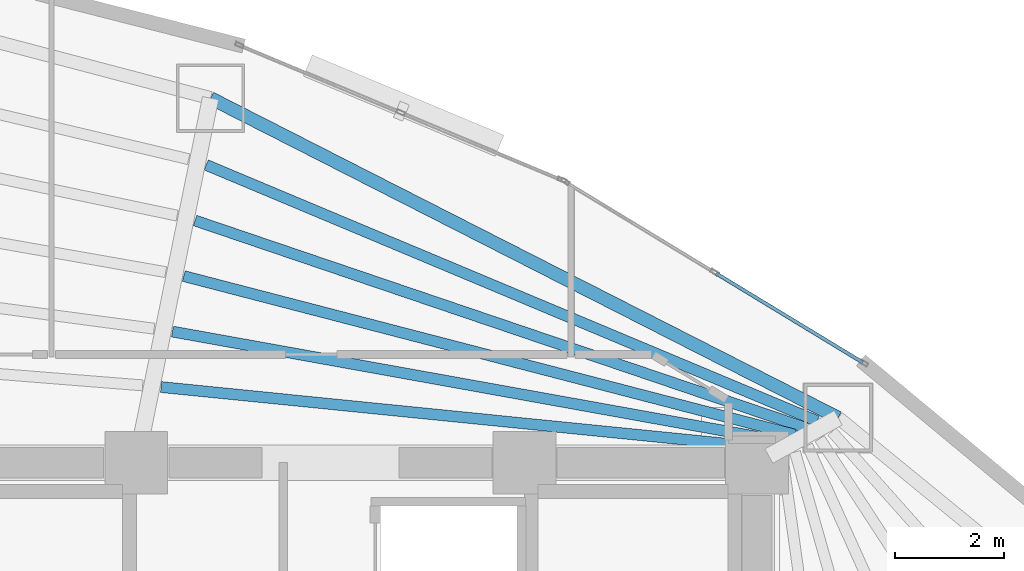
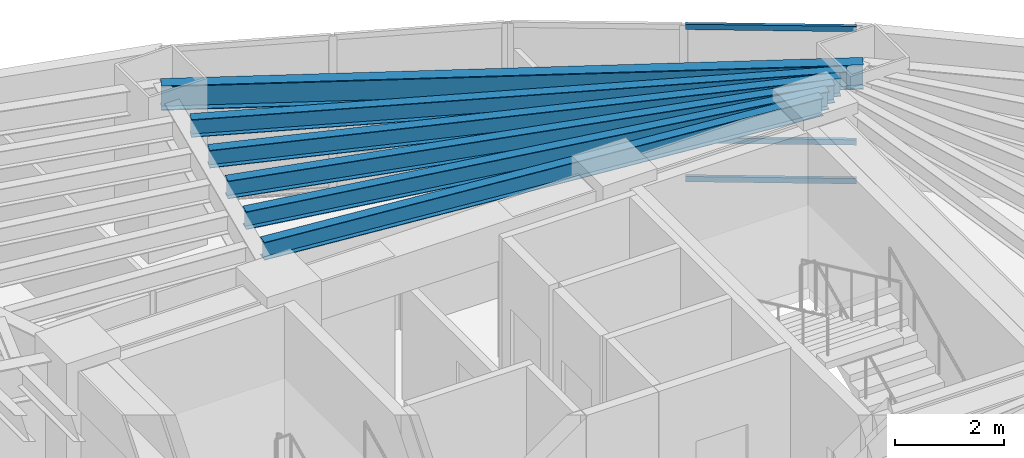
# One storey, part 10 of 18: 6 beams, 3 members, 1 element without a shape of its own.
"""IFC4 building model written with IfcOpenShell, lengths in metres."""

from ifc_helpers import new_model, si_unit, direction, frame, origin, origin_2d, place, context, subcontext, project, spatial, hollow_rectangle, i_section, extrude, material, layer, layer_set, material_profile, profile_set, type_object, element, aggregate, save


model = new_model("IFC4")

# Units and contexts
model_context = context("Model", 3, precision=1e-05, world=origin(), true_north=direction((0.0, 1.0)))
body_context = subcontext(model_context, "Body", "Model", "MODEL_VIEW")
ifc_project = project(units=[si_unit("LENGTHUNIT", "METRE"), si_unit("AREAUNIT", "SQUARE_METRE"), si_unit("VOLUMEUNIT", "CUBIC_METRE"), si_unit("PLANEANGLEUNIT", "RADIAN"), si_unit("MASSUNIT", "GRAM", prefix="KILO")], contexts=[model_context])

# Site, building, storey
site_placement = place(None, origin())
site = spatial("IfcSite", under=ifc_project, at=site_placement, CompositionType="ELEMENT")
building_placement = place(site_placement, origin())
building = spatial("IfcBuilding", under=site, at=building_placement, Name="Menara Vayukalpa", CompositionType="ELEMENT")
storey_placement = place(building_placement, frame((0.0, 0.0, 126.300048828125)))
storey = spatial("IfcBuildingStorey", under=building, at=storey_placement, Name="L31", CompositionType="ELEMENT", Elevation=126.300048828125)

# Beams
ifc_material_1 = material(Name="Steel S355", Category="steel")
ifc_material_profile_1 = material_profile(ifc_material_1, i_section(OverallWidth=0.199951171875, OverallDepth=0.39990234375, WebThickness=0.008056640625, FlangeThickness=0.012939453125, at=origin_2d()), Name="WF 400x200x8x13")
ifc_profile_set_1 = profile_set([ifc_material_profile_1], Name="Steel S355")
beam_type_1 = type_object("IfcBeamType", Name="BM-SJ2", PredefinedType="JOIST", material=ifc_profile_set_1)
beam_1_placement = place(storey_placement, frame((33.677978515625, 27.06396484375, 3.27001953125), z_axis=(-0.995012836574, 0.099746955103, 0.0), x_axis=(-0.099746955103, -0.995012836574, 0.0)))
element("IfcBeam", 1, at=beam_1_placement, inside=storey, type_object=beam_type_1, Name="L31 Secondary Floor Joist SJ02-1", PredefinedType="JOIST", context=body_context, shape_type="SweptSolid", body=[
    extrude(i_section(OverallWidth=0.199951171875, OverallDepth=0.39990234375, WebThickness=0.008056640625, FlangeThickness=0.012939453125, at=origin_2d()), origin(), (0.0, 0.0, 1.0), 11.2294921875),
])
beam_2_placement = place(storey_placement, frame((33.882568359375, 27.189208984375, 3.27001953125), z_axis=(-0.984205443357, 0.177030068819, 0.0), x_axis=(-0.177030068819, -0.984205443357, 0.0)))
element("IfcBeam", 2, at=beam_2_placement, inside=storey, type_object=beam_type_1, Name="L31 Secondary Floor Joist SJ02-2", PredefinedType="JOIST", context=body_context, shape_type="SweptSolid", body=[
    extrude(i_section(OverallWidth=0.199951171875, OverallDepth=0.39990234375, WebThickness=0.008056640625, FlangeThickness=0.012939453125, at=origin_2d()), origin(), (0.0, 0.0, 1.0), 11.349853515625),
])
beam_3_placement = place(storey_placement, frame((34.08837890625, 27.31396484375, 3.27001953125), z_axis=(-0.967921665574, 0.251252162802, 0.0), x_axis=(-0.251252162802, -0.967921665574, 0.0)))
element("IfcBeam", 3, at=beam_3_placement, inside=storey, type_object=beam_type_1, Name="L31 Secondary Floor Joist SJ02-3", PredefinedType="JOIST", context=body_context, shape_type="SweptSolid", body=[
    extrude(i_section(OverallWidth=0.199951171875, OverallDepth=0.39990234375, WebThickness=0.008056640625, FlangeThickness=0.012939453125, at=origin_2d()), origin(), (0.0, 0.0, 1.0), 11.539794921875),
])
beam_4_placement = place(storey_placement, frame((34.294677734375, 27.43798828125, 3.27001953125), z_axis=(-0.94694934653, 0.321382848183, 0.0), x_axis=(-0.321382848183, -0.94694934653, 0.0)))
element("IfcBeam", 4, at=beam_4_placement, inside=storey, type_object=beam_type_1, Name="L31 Secondary Floor Joist SJ02-4", PredefinedType="JOIST", context=body_context, shape_type="SweptSolid", body=[
    extrude(i_section(OverallWidth=0.199951171875, OverallDepth=0.39990234375, WebThickness=0.008056640625, FlangeThickness=0.012939453125, at=origin_2d()), origin(), (0.0, 0.0, 1.0), 11.7958984375),
])
beam_5_placement = place(storey_placement, frame((34.501708984375, 27.561279296875, 3.27001953125), z_axis=(-0.922216637658, 0.386673600375, 0.0), x_axis=(-0.386673600375, -0.922216637658, 0.0)))
element("IfcBeam", 5, at=beam_5_placement, inside=storey, type_object=beam_type_1, Name="L31 Secondary Floor Joist SJ02-5", PredefinedType="JOIST", context=body_context, shape_type="SweptSolid", body=[
    extrude(i_section(OverallWidth=0.199951171875, OverallDepth=0.39990234375, WebThickness=0.008056640625, FlangeThickness=0.012939453125, at=origin_2d()), origin(), (0.0, 0.0, 1.0), 12.114501953125),
])
ifc_material_2 = material(Name="Steel S355", Category="steel")
ifc_material_profile_2 = material_profile(ifc_material_2, i_section(OverallWidth=0.239990234375, OverallDepth=0.550048828125, WebThickness=0.010986328125, FlangeThickness=0.01904296875, at=origin_2d()), Name="WF 550x240x11x19")
ifc_profile_set_2 = profile_set([ifc_material_profile_2], Name="Steel S355")
beam_type_2 = type_object("IfcBeamType", Name="BM-SP2", PredefinedType="SPANDREL", material=ifc_profile_set_2)
beam_6_placement = place(storey_placement, frame((34.88671875, 27.62158203125, 3.195068359375), z_axis=(-0.891097345221, 0.453812209333, 0.0), x_axis=(-0.453812209333, -0.891097345221, 0.0)))
element("IfcBeam", 6, at=beam_6_placement, inside=storey, type_object=beam_type_2, Name="L31 Perimeter Spandrel Beam SP02", PredefinedType="SPANDREL", context=body_context, shape_type="SweptSolid", body=[
    extrude(i_section(OverallWidth=0.239990234375, OverallDepth=0.550048828125, WebThickness=0.010986328125, FlangeThickness=0.01904296875, at=origin_2d()), origin(), (0.0, 0.0, 1.0), 12.88134765625),
])

# Curtain wall, members
ifc_material_3 = material(Name="Anodised Terracotta Aluminium Alloy 6063-T6", Category="masonry")
ifc_layer = layer(ifc_material_3, 0.14990234375)
ifc_layer_set = layer_set([ifc_layer], Name="Anodised Terracotta Aluminium Alloy 6063-T6")
curtain_wall_type = type_object("IfcCurtainWallType", Name="CW-CW3", PredefinedType="USERDEFINED", material=ifc_layer_set)
curtain_wall_placement = place(storey_placement, origin())
curtain_wall = element("IfcCurtainWall", 7, at=curtain_wall_placement, inside=storey, type_object=curtain_wall_type, Name="L31 Mid Rise Terracotta Ribbon Curtain Wall CW3 04", ObjectType="UNITISED", PredefinedType="USERDEFINED")
ifc_material_4 = material(Name="Anodised Terracotta Aluminium Alloy 6063-T6", Category="masonry")
ifc_material_profile_3 = material_profile(ifc_material_4, hollow_rectangle(XDim=0.06494140625, YDim=0.1201171875, WallThickness=0.00341796875, at=origin_2d()), Name="ALU 65x120x3.5")
ifc_profile_set_3 = profile_set([ifc_material_profile_3], Name="Anodised Terracotta Aluminium Alloy 6063-T6")
member_type = type_object("IfcMemberType", Name="CWT-CW3", PredefinedType="USERDEFINED", material=ifc_profile_set_3)
member_1_placement = place(storey_placement, frame((35.33056640625, 28.6357421875, 0.032470703125), z_axis=(-0.854673871166, 0.519165266506, 0.0), x_axis=(-0.519165266506, -0.854673871166, 0.0)))
member_1 = element("IfcMember", 8, at=member_1_placement, type_object=member_type, Name="CW3 transom 1.1", ObjectType="TRANSOM", PredefinedType="USERDEFINED", context=body_context, shape_type="SweptSolid", body=[
    extrude(hollow_rectangle(XDim=0.06494140625, YDim=0.1201171875, WallThickness=0.00341796875, at=origin_2d()), origin(), (0.0, 0.0, 1.0), 3.1318359375),
])
member_2_placement = place(storey_placement, frame((35.33056640625, 28.6357421875, 0.89990234375), z_axis=(-0.854673871166, 0.519165266506, 0.0), x_axis=(-0.519165266506, -0.854673871166, 0.0)))
member_2 = element("IfcMember", 9, at=member_2_placement, type_object=member_type, Name="CW3 transom 1.2", ObjectType="TRANSOM", PredefinedType="USERDEFINED", context=body_context, shape_type="SweptSolid", body=[
    extrude(hollow_rectangle(XDim=0.06494140625, YDim=0.1201171875, WallThickness=0.00341796875, at=origin_2d()), origin(), (0.0, 0.0, 1.0), 3.1318359375),
])
member_3_placement = place(storey_placement, frame((35.33056640625, 28.6357421875, 3.4375), z_axis=(-0.854673871166, 0.519165266506, 0.0), x_axis=(-0.519165266506, -0.854673871166, 0.0)))
member_3 = element("IfcMember", 10, at=member_3_placement, type_object=member_type, Name="CW3 transom 1.3", ObjectType="TRANSOM", PredefinedType="USERDEFINED", context=body_context, shape_type="SweptSolid", body=[
    extrude(hollow_rectangle(XDim=0.06494140625, YDim=0.1201171875, WallThickness=0.00341796875, at=origin_2d()), origin(), (0.0, 0.0, 1.0), 3.1318359375),
])
aggregate(curtain_wall, [member_1, member_2, member_3])

save(model, "model.ifc")
